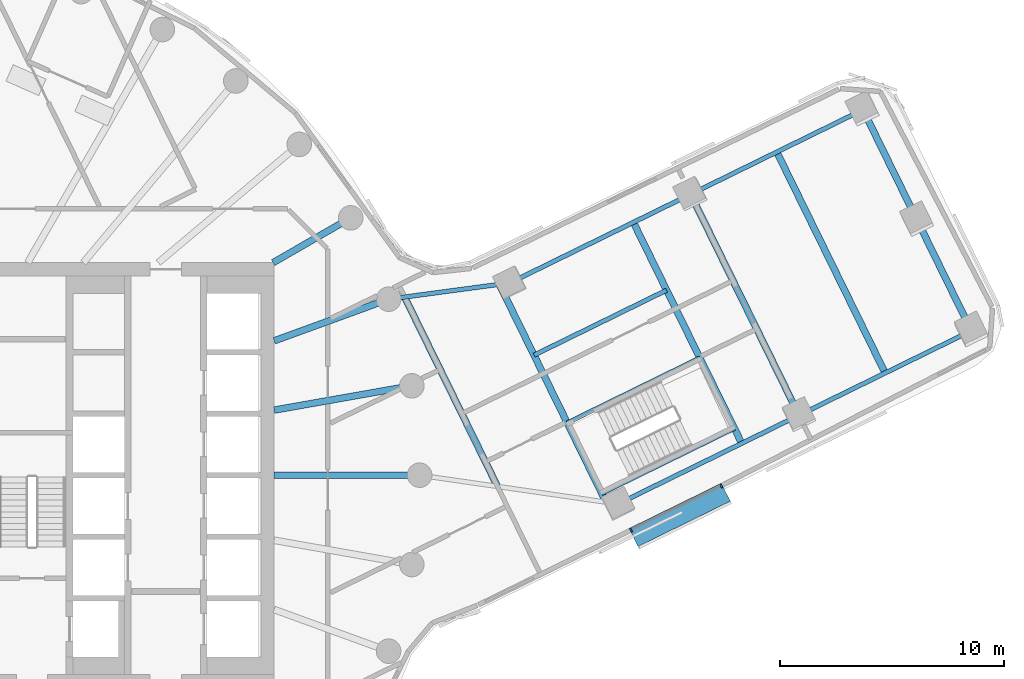
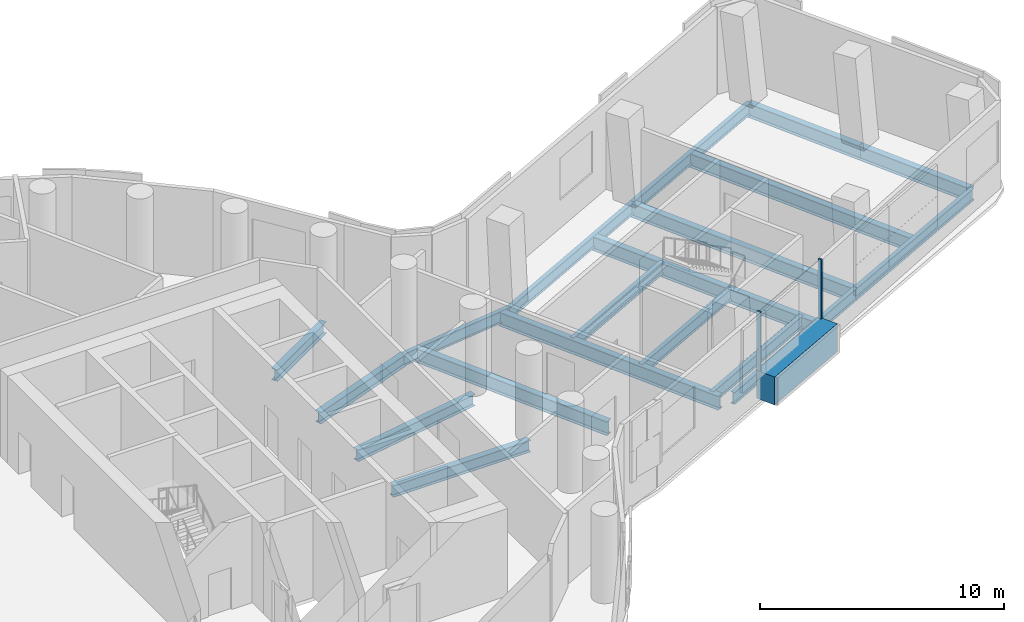
# One storey, part 7 of 23: 19 beams, 3 members, 1 element without a shape of its own.
"""IFC4 building model written with IfcOpenShell, lengths in metres."""

from ifc_helpers import new_model, si_unit, direction, frame, origin, origin_2d, place, context, subcontext, project, spatial, polyline, rectangle, i_section, outline, extrude, material, layer, layer_set, material_profile, profile_set, type_object, element, aggregate, save


model = new_model("IFC4")

# Units and contexts
model_context = context("Model", 3, precision=1e-05, world=origin(), true_north=direction((0.0, 1.0)))
body_context = subcontext(model_context, "Body", "Model", "MODEL_VIEW")
ifc_project = project(units=[si_unit("LENGTHUNIT", "METRE"), si_unit("AREAUNIT", "SQUARE_METRE"), si_unit("VOLUMEUNIT", "CUBIC_METRE"), si_unit("PLANEANGLEUNIT", "RADIAN"), si_unit("MASSUNIT", "GRAM", prefix="KILO")], contexts=[model_context])

# Site, building, storey
site_placement = place(None, origin())
site = spatial("IfcSite", under=ifc_project, at=site_placement, CompositionType="ELEMENT")
building_placement = place(site_placement, origin())
building = spatial("IfcBuilding", under=site, at=building_placement, Name="Tamarind Cross Interchange Tower", CompositionType="ELEMENT")
storey_placement = place(building_placement, frame((0.0, 0.0, 128.5)))
storey = spatial("IfcBuildingStorey", under=building, at=storey_placement, Name="L31", CompositionType="ELEMENT", Elevation=128.5)

# Beams
ifc_material_1 = material(Name="Steel Q355B", Category="steel")
ifc_material_profile_1 = material_profile(ifc_material_1, i_section(OverallWidth=0.300048828125, OverallDepth=0.58203125, WebThickness=0.011962890625, FlangeThickness=0.01708984375, FilletRadius=0.01806640625, at=origin_2d()), Name="HM 582x300x12x17")
ifc_profile_set_1 = profile_set([ifc_material_profile_1], Name="Steel Q355B")
beam_type_1 = type_object("IfcBeamType", Name="Composite beam HM 582x300x12x17 Q355B", PredefinedType="BEAM", material=ifc_profile_set_1)
beam_1_placement = place(storey_placement, frame((23.0, 0.0, -0.470947265625), z_axis=(-1.0, 0.0, 0.0), x_axis=(0.0, -1.0, 0.0)))
element("IfcBeam", 1, at=beam_1_placement, inside=storey, type_object=beam_type_1, Name="Beam HH00", PredefinedType="BEAM", context=body_context, shape_type="SweptSolid", body=[
    extrude(i_section(OverallWidth=0.300048828125, OverallDepth=0.58203125, WebThickness=0.011962890625, FlangeThickness=0.01708984375, FilletRadius=0.01806640625, at=origin_2d()), origin(), (0.0, 0.0, 1.0), 6.5),
])
beam_2_placement = place(storey_placement, frame((22.650634765625, 3.993896484375, -0.470947265625), z_axis=(-0.984809127561, -0.173640382036, 0.0), x_axis=(0.173640382036, -0.984809127561, 0.0)))
element("IfcBeam", 2, at=beam_2_placement, inside=storey, type_object=beam_type_1, Name="Beam HH01", PredefinedType="BEAM", context=body_context, shape_type="SweptSolid", body=[
    extrude(i_section(OverallWidth=0.300048828125, OverallDepth=0.58203125, WebThickness=0.011962890625, FlangeThickness=0.01708984375, FilletRadius=0.01806640625, at=origin_2d()), origin(), (0.0, 0.0, 1.0), 6.24560546875),
])
beam_3_placement = place(storey_placement, frame((21.613037109375, 7.866455078125, -0.470947265625), z_axis=(-0.939701685589, -0.341995236956, 0.0), x_axis=(0.341995236956, -0.939701685589, 0.0)))
element("IfcBeam", 3, at=beam_3_placement, inside=storey, type_object=beam_type_1, Name="Beam HH02", PredefinedType="BEAM", context=body_context, shape_type="SweptSolid", body=[
    extrude(i_section(OverallWidth=0.300048828125, OverallDepth=0.58203125, WebThickness=0.011962890625, FlangeThickness=0.01708984375, FilletRadius=0.01806640625, at=origin_2d()), origin(), (0.0, 0.0, 1.0), 5.441162109375),
])
beam_4_placement = place(storey_placement, frame((19.918701171875, 11.5, -0.470947265625), z_axis=(-0.866026010844, -0.49999894854, 0.0), x_axis=(0.49999894854, -0.866026010844, 0.0)))
element("IfcBeam", 4, at=beam_4_placement, inside=storey, type_object=beam_type_1, Name="Beam HH03", PredefinedType="BEAM", context=body_context, shape_type="SweptSolid", body=[
    extrude(i_section(OverallWidth=0.300048828125, OverallDepth=0.58203125, WebThickness=0.011962890625, FlangeThickness=0.01708984375, FilletRadius=0.01806640625, at=origin_2d()), origin(), (0.0, 0.0, 1.0), 4.0),
])
ifc_material_profile_2 = material_profile(ifc_material_1, i_section(OverallWidth=0.199951171875, OverallDepth=0.60009765625, WebThickness=0.010986328125, FlangeThickness=0.01708984375, FilletRadius=0.012939453125, at=origin_2d()), Name="HN 600x200x11x17")
ifc_profile_set_2 = profile_set([ifc_material_profile_2], Name="Steel Q355B")
beam_type_2 = type_object("IfcBeamType", Name="Composite beam HN 600x200x11x17 Q355B", PredefinedType="BEAM", material=ifc_profile_set_2)
beam_5_placement = place(storey_placement, frame((47.658935546875, 6.45556640625, -0.47998046875), z_axis=(-0.897877060494, -0.440246276802, 0.0), x_axis=(0.440246276802, -0.897877060494, 0.0)))
element("IfcBeam", 5, at=beam_5_placement, inside=storey, type_object=beam_type_2, Name="Beam E-edgeem5", PredefinedType="BEAM", context=body_context, shape_type="SweptSolid", body=[
    extrude(i_section(OverallWidth=0.199951171875, OverallDepth=0.60009765625, WebThickness=0.010986328125, FlangeThickness=0.01708984375, FilletRadius=0.012939453125, at=origin_2d()), origin(), (0.0, 0.0, 1.0), 8.58056640625),
])
beam_6_placement = place(storey_placement, frame((39.95458984375, 2.677978515625, -0.47998046875), z_axis=(-0.897877833191, -0.440244700893, 0.0), x_axis=(0.440244700893, -0.897877833191, 0.0)))
element("IfcBeam", 6, at=beam_6_placement, inside=storey, type_object=beam_type_2, Name="Beam E-edgeem6", PredefinedType="BEAM", context=body_context, shape_type="SweptSolid", body=[
    extrude(i_section(OverallWidth=0.199951171875, OverallDepth=0.60009765625, WebThickness=0.010986328125, FlangeThickness=0.01708984375, FilletRadius=0.012939453125, at=origin_2d()), origin(), (0.0, 0.0, 1.0), 9.0),
])
beam_7_placement = place(storey_placement, frame((42.816162109375, 16.332275390625, -0.47998046875), z_axis=(-0.897877060494, -0.440246276802, 0.0), x_axis=(0.440246276802, -0.897877060494, 0.0)))
element("IfcBeam", 7, at=beam_7_placement, inside=storey, type_object=beam_type_2, Name="Beam E-edgeep2", PredefinedType="BEAM", context=body_context, shape_type="SweptSolid", body=[
    extrude(i_section(OverallWidth=0.199951171875, OverallDepth=0.60009765625, WebThickness=0.010986328125, FlangeThickness=0.01708984375, FilletRadius=0.012939453125, at=origin_2d()), origin(), (0.0, 0.0, 1.0), 8.58056640625),
])
beam_8_placement = place(storey_placement, frame((35.11181640625, 12.5546875, -0.47998046875), z_axis=(-0.897867110115, -0.440266569902, 0.0), x_axis=(0.440266569902, -0.897867110115, 0.0)))
element("IfcBeam", 8, at=beam_8_placement, inside=storey, type_object=beam_type_2, Name="Beam E-edgeep3", PredefinedType="BEAM", context=body_context, shape_type="SweptSolid", body=[
    extrude(i_section(OverallWidth=0.199951171875, OverallDepth=0.60009765625, WebThickness=0.010986328125, FlangeThickness=0.01708984375, FilletRadius=0.012939453125, at=origin_2d()), origin(), (0.0, 0.0, 1.0), 9.0),
])
beam_9_placement = place(storey_placement, frame((27.031005859375, 8.59228515625, -0.47998046875), z_axis=(-0.991145405059, -0.132780970135, 0.0), x_axis=(0.132780970135, -0.991145405059, 0.0)))
element("IfcBeam", 9, at=beam_9_placement, inside=storey, type_object=beam_type_2, Name="Beam E-linkep", PredefinedType="BEAM", context=body_context, shape_type="SweptSolid", body=[
    extrude(i_section(OverallWidth=0.199951171875, OverallDepth=0.60009765625, WebThickness=0.010986328125, FlangeThickness=0.01708984375, FilletRadius=0.012939453125, at=origin_2d()), origin(), (0.0, 0.0, 1.0), 5.46630859375),
])
for number, where, z_axis, x_axis, name in (
    (10, (31.139404296875, -0.808837890625, -0.47998046875), (0.897884600077, 0.44023089958, 0.0), (-0.44023089958, 0.897884600077, 0.0), "Beam E-tr0"),
    (11, (29.5986328125, 2.333740234375, -0.47998046875), (0.897884600077, 0.44023089958, 0.0), (-0.44023089958, 0.897884600077, 0.0), "Beam E-tr1"),
    (12, (28.11279296875, 5.364013671875, -0.47998046875), (0.897884600077, 0.44023089958, 0.0), (-0.44023089958, 0.897884600077, 0.0), "Beam E-stripp"),
):
    element("IfcBeam", number, at=place(storey_placement, frame(where, z_axis=z_axis, x_axis=x_axis)), inside=storey, type_object=beam_type_2, Name=name, PredefinedType="BEAM", context=body_context, shape_type="SweptSolid", body=[
        extrude(i_section(OverallWidth=0.199951171875, OverallDepth=0.60009765625, WebThickness=0.010986328125, FlangeThickness=0.01708984375, FilletRadius=0.012939453125, at=origin_2d()), origin(), (0.0, 0.0, 1.0), 6.60009765625),
    ])
ifc_material_profile_3 = material_profile(ifc_material_1, i_section(OverallWidth=0.300048828125, OverallDepth=0.699951171875, WebThickness=0.012939453125, FlangeThickness=0.02392578125, FilletRadius=0.01806640625, at=origin_2d()), Name="HN 700x300x13x24")
ifc_profile_set_3 = profile_set([ifc_material_profile_3], Name="Steel Q355B")
beam_type_3 = type_object("IfcBeamType", Name="Composite beam HN 700x300x13x24 Q355B", PredefinedType="BEAM", material=ifc_profile_set_3)
beam_10_placement = place(storey_placement, frame((47.658935546875, 6.45556640625, -0.530029296875), z_axis=(-0.440240019517, 0.897880128534, 0.0), x_axis=(-0.897880128534, -0.440240019517, 0.0)))
element("IfcBeam", 13, at=beam_10_placement, inside=storey, type_object=beam_type_3, Name="Beam E-tip0", PredefinedType="BEAM", context=body_context, shape_type="SweptSolid", body=[
    extrude(i_section(OverallWidth=0.300048828125, OverallDepth=0.699951171875, WebThickness=0.012939453125, FlangeThickness=0.02392578125, FilletRadius=0.01806640625, at=origin_2d()), origin(), (0.0, 0.0, 1.0), 5.500244140625),
])
beam_11_placement = place(storey_placement, frame((45.237548828125, 11.39404296875, -0.530029296875), z_axis=(-0.440257565937, 0.897871525128, 0.0), x_axis=(-0.897871525128, -0.440257565937, 0.0)))
element("IfcBeam", 14, at=beam_11_placement, inside=storey, type_object=beam_type_3, Name="Beam E-tip1", PredefinedType="BEAM", context=body_context, shape_type="SweptSolid", body=[
    extrude(i_section(OverallWidth=0.300048828125, OverallDepth=0.699951171875, WebThickness=0.012939453125, FlangeThickness=0.02392578125, FilletRadius=0.01806640625, at=origin_2d()), origin(), (0.0, 0.0, 1.0), 5.5),
])
beam_12_placement = place(storey_placement, frame((31.334228515625, -1.2060546875, -0.530029296875), z_axis=(-0.440246918761, 0.897876745729, 0.0), x_axis=(-0.897876745729, -0.440246918761, 0.0)))
element("IfcBeam", 15, at=beam_12_placement, inside=storey, type_object=beam_type_3, Name="Beam E-x298", PredefinedType="BEAM", context=body_context, shape_type="SweptSolid", body=[
    extrude(i_section(OverallWidth=0.300048828125, OverallDepth=0.699951171875, WebThickness=0.012939453125, FlangeThickness=0.02392578125, FilletRadius=0.01806640625, at=origin_2d()), origin(), (0.0, 0.0, 1.0), 10.842529296875),
])
for number, where, z_axis, x_axis, name in (
    (16, (37.395751953125, 1.42333984375, -0.530029296875), (-0.440248792574, 0.897875826959, 0.0), (-0.897875826959, -0.440248792574, 0.0), "Beam E-x364"),
    (17, (39.95458984375, 2.677978515625, -0.530029296875), (-0.440248792574, 0.897875826959, 0.0), (-0.897875826959, -0.440248792574, 0.0), "Beam E-x393"),
):
    element("IfcBeam", number, at=place(storey_placement, frame(where, z_axis=z_axis, x_axis=x_axis)), inside=storey, type_object=beam_type_3, Name=name, PredefinedType="BEAM", context=body_context, shape_type="SweptSolid", body=[
        extrude(i_section(OverallWidth=0.300048828125, OverallDepth=0.699951171875, WebThickness=0.012939453125, FlangeThickness=0.02392578125, FilletRadius=0.01806640625, at=origin_2d()), origin(), (0.0, 0.0, 1.0), 11.0),
    ])
beam_13_placement = place(storey_placement, frame((26.47900390625, -0.50341796875, -0.530029296875), z_axis=(-0.440239903935, 0.897880185205, 0.0), x_axis=(-0.897880185205, -0.440239903935, 0.0)))
element("IfcBeam", 18, at=beam_13_placement, inside=storey, type_object=beam_type_3, Name="Beam E-x258", PredefinedType="BEAM", context=body_context, shape_type="SweptSolid", body=[
    extrude(i_section(OverallWidth=0.300048828125, OverallDepth=0.699951171875, WebThickness=0.012939453125, FlangeThickness=0.02392578125, FilletRadius=0.01806640625, at=origin_2d()), origin(), (0.0, 0.0, 1.0), 9.4287109375),
])
beam_14_placement = place(storey_placement, frame((43.806640625, 4.56689453125, -0.530029296875), z_axis=(-0.440257565937, 0.897871525128, 0.0), x_axis=(-0.897871525128, -0.440257565937, 0.0)))
element("IfcBeam", 19, at=beam_14_placement, inside=storey, type_object=beam_type_3, Name="Beam E-x436", PredefinedType="BEAM", context=body_context, shape_type="SweptSolid", body=[
    extrude(i_section(OverallWidth=0.300048828125, OverallDepth=0.699951171875, WebThickness=0.012939453125, FlangeThickness=0.02392578125, FilletRadius=0.01806640625, at=origin_2d()), origin(), (0.0, 0.0, 1.0), 10.999755859375),
])

# Curtain wall, members
ifc_material_2 = material(Name="Aluminium 6063-T6", Category="aluminium")
ifc_layer = layer(ifc_material_2, 0.179931640625)
ifc_layer_set = layer_set([ifc_layer], Name="Aluminium 6063-T6")
curtain_wall_type = type_object("IfcCurtainWallType", Name="Sky lobby curtain wall, fire-resisting glazing", PredefinedType="NOTDEFINED", material=ifc_layer_set)
curtain_wall_placement = place(storey_placement, origin())
curtain_wall = element("IfcCurtainWall", 20, at=curtain_wall_placement, inside=storey, type_object=curtain_wall_type, Name="CWS-L31-07", PredefinedType="NOTDEFINED")
ifc_material_3 = material(Name="Aluminium and insulated spandrel panel", Category="aluminium")
member_type_1 = type_object("IfcMemberType", Name="Floor-edge blade transom", PredefinedType="USERDEFINED", material=ifc_material_3)
member_1_placement = place(storey_placement, origin())
member_1 = element("IfcMember", 21, at=member_1_placement, type_object=member_type_1, Name="CWT-L31-07-0", ObjectType="TRANSOM", PredefinedType="USERDEFINED", context=body_context, shape_type="SweptSolid", body=[
    extrude(outline(polyline([(32.367431640625, -2.378662109375), (36.469970703125, -0.366943359375), (36.8916015625, -1.16259765625), (32.759765625, -3.188720703125), (32.367431640625, -2.378662109375)])), origin(), (0.0, 0.0, 1.0), 1.39990234375),
])
ifc_material_profile_4 = material_profile(ifc_material_2, rectangle(XDim=0.080078125, YDim=0.179931640625, at=origin_2d()), Name="Mullion CW4")
ifc_profile_set_4 = profile_set([ifc_material_profile_4], Name="Aluminium 6063-T6")
member_type_2 = type_object("IfcMemberType", Name="Mullion CW4", PredefinedType="MULLION", material=ifc_profile_set_4)
member_2_placement = place(storey_placement, frame((32.44677734375, -2.451171875, 1.39990234375), z_axis=(0.0, 0.0, 1.0), x_axis=(0.897873953312, 0.440252613806, 0.0)))
member_2 = element("IfcMember", 22, at=member_2_placement, type_object=member_type_2, Name="CWM-L31-07-02", PredefinedType="MULLION", context=body_context, shape_type="SweptSolid", body=[
    extrude(rectangle(XDim=0.080078125, YDim=0.179931640625, at=origin_2d()), origin(), (0.0, 0.0, 1.0), 2.960205078125),
])
member_3_placement = place(storey_placement, frame((36.48095703125, -0.47314453125, 1.39990234375), z_axis=(0.0, 0.0, 1.0), x_axis=(0.897873953312, 0.440252613806, 0.0)))
member_3 = element("IfcMember", 23, at=member_3_placement, type_object=member_type_2, Name="CWM-L31-07-03", PredefinedType="MULLION", context=body_context, shape_type="SweptSolid", body=[
    extrude(rectangle(XDim=0.080078125, YDim=0.179931640625, at=origin_2d()), origin(), (0.0, 0.0, 1.0), 2.960205078125),
])
aggregate(curtain_wall, [member_2, member_3, member_1])

save(model, "model.ifc")
